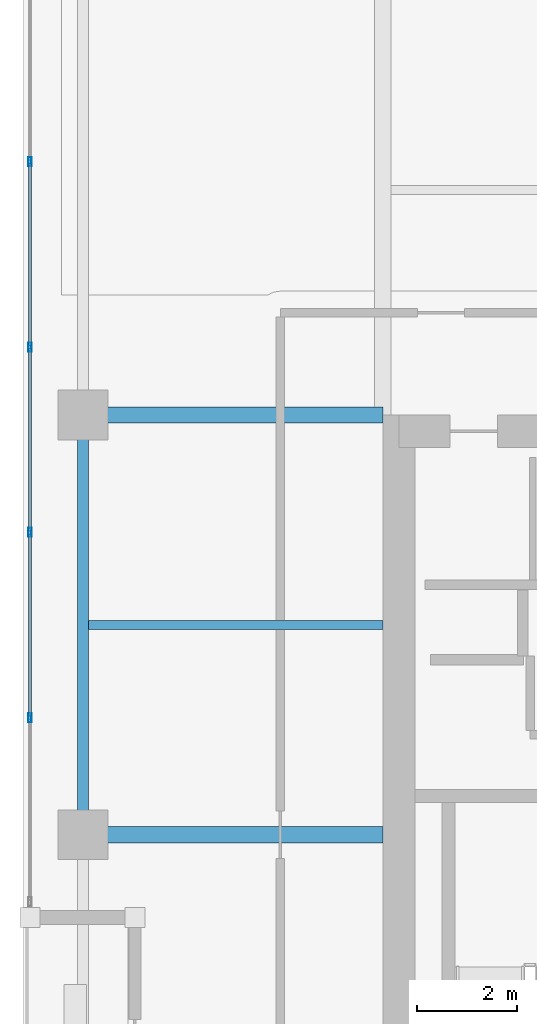
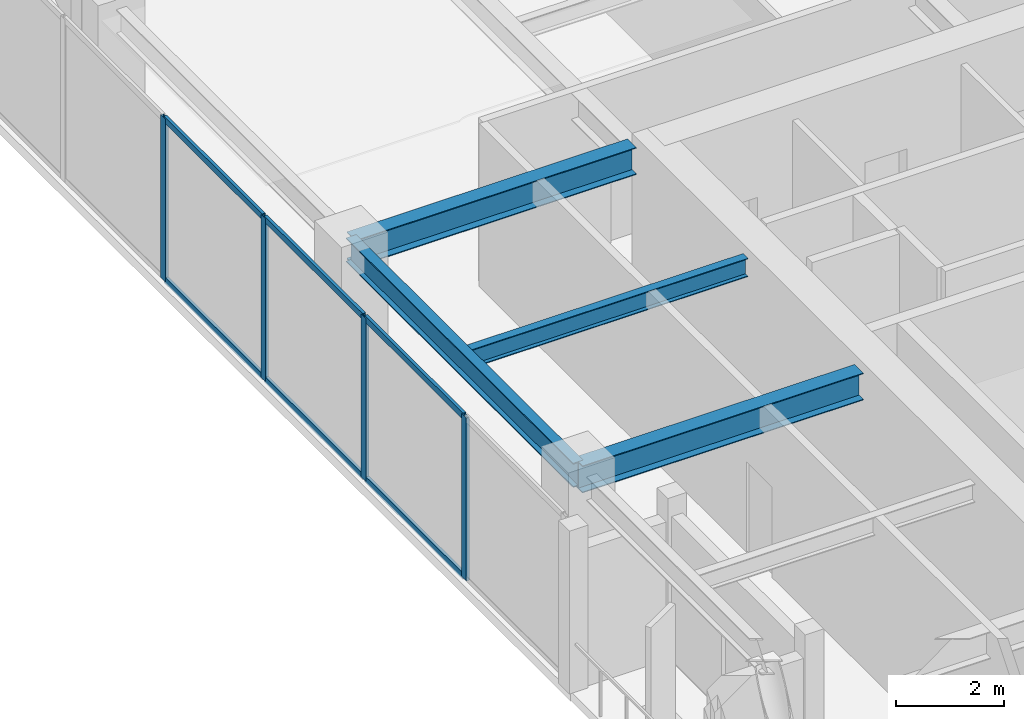
# One storey, part 4 of 21: 10 members, 4 beams, 1 element without a shape of its own.
"""IFC4 building model written with IfcOpenShell, lengths in metres."""

from ifc_helpers import new_model, si_unit, direction, frame, origin, origin_2d, place, context, subcontext, project, spatial, hollow_rectangle, i_section, extrude, material, layer, layer_set, material_profile, profile_set, type_object, element, aggregate, save


model = new_model("IFC4")

# Units and contexts
model_context = context("Model", 3, precision=1e-05, world=origin(), true_north=direction((0.0, 1.0)))
body_context = subcontext(model_context, "Body", "Model", "MODEL_VIEW")
ifc_project = project(units=[si_unit("LENGTHUNIT", "METRE"), si_unit("AREAUNIT", "SQUARE_METRE"), si_unit("VOLUMEUNIT", "CUBIC_METRE"), si_unit("PLANEANGLEUNIT", "RADIAN"), si_unit("MASSUNIT", "GRAM", prefix="KILO")], contexts=[model_context])

# Site, building, storey
site_placement = place(None, origin())
site = spatial("IfcSite", under=ifc_project, at=site_placement, CompositionType="ELEMENT")
building_placement = place(site_placement, origin())
building = spatial("IfcBuilding", under=site, at=building_placement, Name="Kiyonajd Concourse Tower", CompositionType="ELEMENT")
storey_placement = place(building_placement, frame((0.0, 0.0, 234.89990234375)))
storey = spatial("IfcBuildingStorey", under=building, at=storey_placement, Name="L59", CompositionType="ELEMENT", Elevation=234.89990234375)

# Beams
ifc_material_1 = material(Name="Steel ASTM A992 Grade 50", Category="steel")
ifc_material_profile_1 = material_profile(ifc_material_1, i_section(OverallWidth=0.180908203125, OverallDepth=0.4169921875, WebThickness=0.010986328125, FlangeThickness=0.018310546875, at=origin_2d()), Name="W410X85")
ifc_profile_set_1 = profile_set([ifc_material_profile_1], Name="Steel ASTM A992 Grade 50")
beam_type_1 = type_object("IfcBeamType", Name="BM-JST-410", PredefinedType="JOIST", material=ifc_profile_set_1)
beam_1_placement = place(storey_placement, frame((26.507080078125, 40.199951171875, 3.4716796875), z_axis=(1.0, 0.0, 0.0), x_axis=(0.0, 1.0, 0.0)))
element("IfcBeam", 1, at=beam_1_placement, inside=storey, type_object=beam_type_1, Name="L59 West Secondary Floor Joist", PredefinedType="JOIST", context=body_context, shape_type="SweptSolid", body=[
    extrude(i_section(OverallWidth=0.180908203125, OverallDepth=0.4169921875, WebThickness=0.010986328125, FlangeThickness=0.018310546875, at=origin_2d()), origin(), (0.0, 0.0, 1.0), 5.892822265625),
])
ifc_material_profile_2 = material_profile(ifc_material_1, i_section(OverallWidth=0.214111328125, OverallDepth=0.549072265625, WebThickness=0.0146484375, FlangeThickness=0.023681640625, at=origin_2d()), Name="W530X138")
ifc_profile_set_2 = profile_set([ifc_material_profile_2], Name="Steel ASTM A992 Grade 50")
beam_type_2 = type_object("IfcBeamType", Name="BM-SPAN-530A", PredefinedType="SPANDREL", material=ifc_profile_set_2)
beam_2_placement = place(storey_placement, frame((26.39990234375, 44.39990234375, 3.405517578125), z_axis=(0.0, -1.0, 0.0), x_axis=(1.0, 0.0, 0.0)))
element("IfcBeam", 2, at=beam_2_placement, inside=storey, type_object=beam_type_2, Name="L59 Perimeter Bundled Tube Spandrel", PredefinedType="SPANDREL", context=body_context, shape_type="SweptSolid", body=[
    extrude(i_section(OverallWidth=0.214111328125, OverallDepth=0.549072265625, WebThickness=0.0146484375, FlangeThickness=0.023681640625, at=origin_2d()), origin(), (0.0, 0.0, 1.0), 8.39990234375),
])
ifc_material_profile_3 = material_profile(ifc_material_1, i_section(OverallWidth=0.323974609375, OverallDepth=0.611083984375, WebThickness=0.0126953125, FlangeThickness=0.01904296875, at=origin_2d()), Name="W610X155")
ifc_profile_set_3 = profile_set([ifc_material_profile_3], Name="Steel ASTM A992 Grade 50")
beam_type_3 = type_object("IfcBeamType", Name="BM-TWR-610B", PredefinedType="BEAM", material=ifc_profile_set_3)
for number, where, z_axis, x_axis, name in (
    (3, (26.39990234375, 36.0, 3.37451171875), (1.0, 0.0, 0.0), (0.0, 1.0, 0.0), "L59 West Lease Girder"),
    (4, (26.39990234375, 44.39990234375, 3.37451171875), (1.0, 0.0, 0.0), (0.0, 1.0, 0.0), "L59 West Lease Girder"),
):
    element("IfcBeam", number, at=place(storey_placement, frame(where, z_axis=z_axis, x_axis=x_axis)), inside=storey, type_object=beam_type_3, Name=name, PredefinedType="BEAM", context=body_context, shape_type="SweptSolid", body=[
        extrude(i_section(OverallWidth=0.323974609375, OverallDepth=0.611083984375, WebThickness=0.0126953125, FlangeThickness=0.01904296875, at=origin_2d()), origin(), (0.0, 0.0, 1.0), 6.0),
    ])

# Curtain wall, members
ifc_material_2 = material(Name="Thermally Broken Anodised Aluminium", Category="aluminium")
ifc_layer = layer(ifc_material_2, 0.179931640625)
ifc_layer_set = layer_set([ifc_layer], Name="Thermally Broken Anodised Aluminium")
curtain_wall_type = type_object("IfcCurtainWallType", Name="CW-SYS-04", PredefinedType="NOTDEFINED", material=ifc_layer_set)
curtain_wall_placement = place(storey_placement, origin())
curtain_wall = element("IfcCurtainWall", 5, at=curtain_wall_placement, inside=storey, type_object=curtain_wall_type, Name="L59 Unitised Curtain Wall CW4", PredefinedType="NOTDEFINED")
ifc_material_profile_4 = material_profile(ifc_material_2, hollow_rectangle(XDim=0.06494140625, YDim=0.179931640625, WallThickness=0.00390625, at=origin_2d()), Name="MULL-65x180")
ifc_profile_set_4 = profile_set([ifc_material_profile_4], Name="Thermally Broken Anodised Aluminium")
member_type_1 = type_object("IfcMemberType", Name="MB-CW-MULL1", PredefinedType="MULLION", material=ifc_profile_set_4)
member_1_placement = place(storey_placement, frame((25.340087890625, 38.34033203125, 0.0), z_axis=(0.0, 0.0, 1.0), x_axis=(-1.0, 0.0, 0.0)))
member_1 = element("IfcMember", 6, at=member_1_placement, type_object=member_type_1, Name="CW4 mullion 2", PredefinedType="MULLION", context=body_context, shape_type="SweptSolid", body=[
    extrude(hollow_rectangle(XDim=0.06494140625, YDim=0.179931640625, WallThickness=0.00390625, at=origin_2d()), origin(), (0.0, 0.0, 1.0), 3.68017578125),
])
member_2_placement = place(storey_placement, frame((25.340087890625, 42.050537109375, 0.0), z_axis=(0.0, 0.0, 1.0), x_axis=(-1.0, 0.0, 0.0)))
member_2 = element("IfcMember", 7, at=member_2_placement, type_object=member_type_1, Name="CW4 mullion 3", PredefinedType="MULLION", context=body_context, shape_type="SweptSolid", body=[
    extrude(hollow_rectangle(XDim=0.06494140625, YDim=0.179931640625, WallThickness=0.00390625, at=origin_2d()), origin(), (0.0, 0.0, 1.0), 3.68017578125),
])
member_3_placement = place(storey_placement, frame((25.340087890625, 45.7607421875, 0.0), z_axis=(0.0, 0.0, 1.0), x_axis=(-1.0, 0.0, 0.0)))
member_3 = element("IfcMember", 8, at=member_3_placement, type_object=member_type_1, Name="CW4 mullion 4", PredefinedType="MULLION", context=body_context, shape_type="SweptSolid", body=[
    extrude(hollow_rectangle(XDim=0.06494140625, YDim=0.179931640625, WallThickness=0.00390625, at=origin_2d()), origin(), (0.0, 0.0, 1.0), 3.68017578125),
])
member_4_placement = place(storey_placement, frame((25.340087890625, 49.470947265625, 0.0), z_axis=(0.0, 0.0, 1.0), x_axis=(-1.0, 0.0, 0.0)))
member_4 = element("IfcMember", 9, at=member_4_placement, type_object=member_type_1, Name="CW4 mullion 5", PredefinedType="MULLION", context=body_context, shape_type="SweptSolid", body=[
    extrude(hollow_rectangle(XDim=0.06494140625, YDim=0.179931640625, WallThickness=0.00390625, at=origin_2d()), origin(), (0.0, 0.0, 1.0), 3.68017578125),
])
ifc_material_profile_5 = material_profile(ifc_material_2, hollow_rectangle(XDim=0.06494140625, YDim=0.139892578125, WallThickness=0.00390625, at=origin_2d()), Name="TRAN-65x140")
ifc_profile_set_5 = profile_set([ifc_material_profile_5], Name="Thermally Broken Anodised Aluminium")
member_type_2 = type_object("IfcMemberType", Name="MB-CW-TRAN1", PredefinedType="USERDEFINED", material=ifc_profile_set_5)
member_5_placement = place(storey_placement, frame((25.340087890625, 38.372802734375, 0.03271484375), z_axis=(0.0, 1.0, 0.0), x_axis=(-1.0, 0.0, 0.0)))
member_5 = element("IfcMember", 10, at=member_5_placement, type_object=member_type_2, Name="CW4 transom 2.1", ObjectType="TRANSOM", PredefinedType="USERDEFINED", context=body_context, shape_type="SweptSolid", body=[
    extrude(hollow_rectangle(XDim=0.06494140625, YDim=0.139892578125, WallThickness=0.00390625, at=origin_2d()), origin(), (0.0, 0.0, 1.0), 3.645263671875),
])
member_6_placement = place(storey_placement, frame((25.340087890625, 38.372802734375, 3.647705078125), z_axis=(0.0, 1.0, 0.0), x_axis=(-1.0, 0.0, 0.0)))
member_6 = element("IfcMember", 11, at=member_6_placement, type_object=member_type_2, Name="CW4 transom 2.2", ObjectType="TRANSOM", PredefinedType="USERDEFINED", context=body_context, shape_type="SweptSolid", body=[
    extrude(hollow_rectangle(XDim=0.06494140625, YDim=0.139892578125, WallThickness=0.00390625, at=origin_2d()), origin(), (0.0, 0.0, 1.0), 3.645263671875),
])
member_7_placement = place(storey_placement, frame((25.340087890625, 42.0830078125, 0.03271484375), z_axis=(0.0, 1.0, 0.0), x_axis=(-1.0, 0.0, 0.0)))
member_7 = element("IfcMember", 12, at=member_7_placement, type_object=member_type_2, Name="CW4 transom 3.1", ObjectType="TRANSOM", PredefinedType="USERDEFINED", context=body_context, shape_type="SweptSolid", body=[
    extrude(hollow_rectangle(XDim=0.06494140625, YDim=0.139892578125, WallThickness=0.00390625, at=origin_2d()), origin(), (0.0, 0.0, 1.0), 3.645263671875),
])
member_8_placement = place(storey_placement, frame((25.340087890625, 42.0830078125, 3.647705078125), z_axis=(0.0, 1.0, 0.0), x_axis=(-1.0, 0.0, 0.0)))
member_8 = element("IfcMember", 13, at=member_8_placement, type_object=member_type_2, Name="CW4 transom 3.2", ObjectType="TRANSOM", PredefinedType="USERDEFINED", context=body_context, shape_type="SweptSolid", body=[
    extrude(hollow_rectangle(XDim=0.06494140625, YDim=0.139892578125, WallThickness=0.00390625, at=origin_2d()), origin(), (0.0, 0.0, 1.0), 3.645263671875),
])
member_9_placement = place(storey_placement, frame((25.340087890625, 45.793212890625, 0.03271484375), z_axis=(0.0, 1.0, 0.0), x_axis=(-1.0, 0.0, 0.0)))
member_9 = element("IfcMember", 14, at=member_9_placement, type_object=member_type_2, Name="CW4 transom 4.1", ObjectType="TRANSOM", PredefinedType="USERDEFINED", context=body_context, shape_type="SweptSolid", body=[
    extrude(hollow_rectangle(XDim=0.06494140625, YDim=0.139892578125, WallThickness=0.00390625, at=origin_2d()), origin(), (0.0, 0.0, 1.0), 3.645263671875),
])
member_10_placement = place(storey_placement, frame((25.340087890625, 45.793212890625, 3.647705078125), z_axis=(0.0, 1.0, 0.0), x_axis=(-1.0, 0.0, 0.0)))
member_10 = element("IfcMember", 15, at=member_10_placement, type_object=member_type_2, Name="CW4 transom 4.2", ObjectType="TRANSOM", PredefinedType="USERDEFINED", context=body_context, shape_type="SweptSolid", body=[
    extrude(hollow_rectangle(XDim=0.06494140625, YDim=0.139892578125, WallThickness=0.00390625, at=origin_2d()), origin(), (0.0, 0.0, 1.0), 3.645263671875),
])
aggregate(curtain_wall, [member_1, member_2, member_3, member_4, member_5, member_6, member_7, member_8, member_9, member_10])

save(model, "model.ifc")
